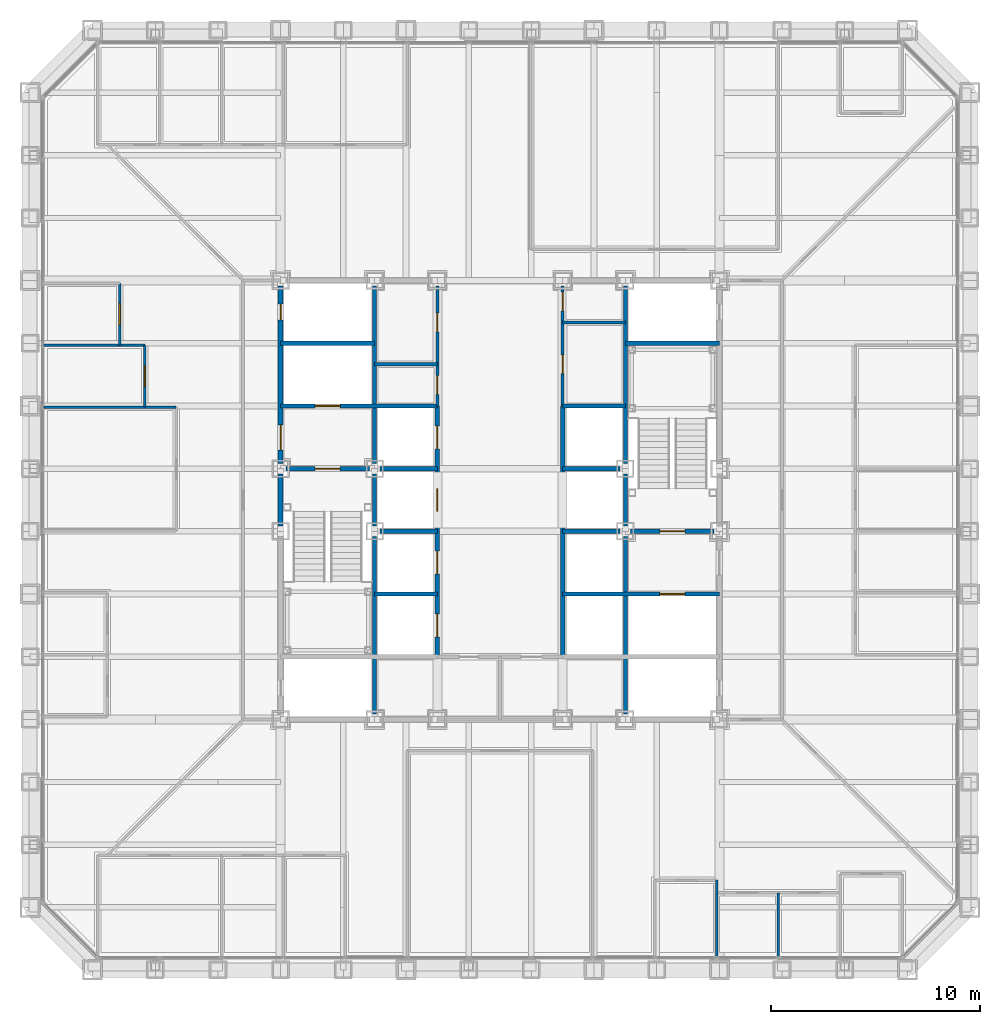
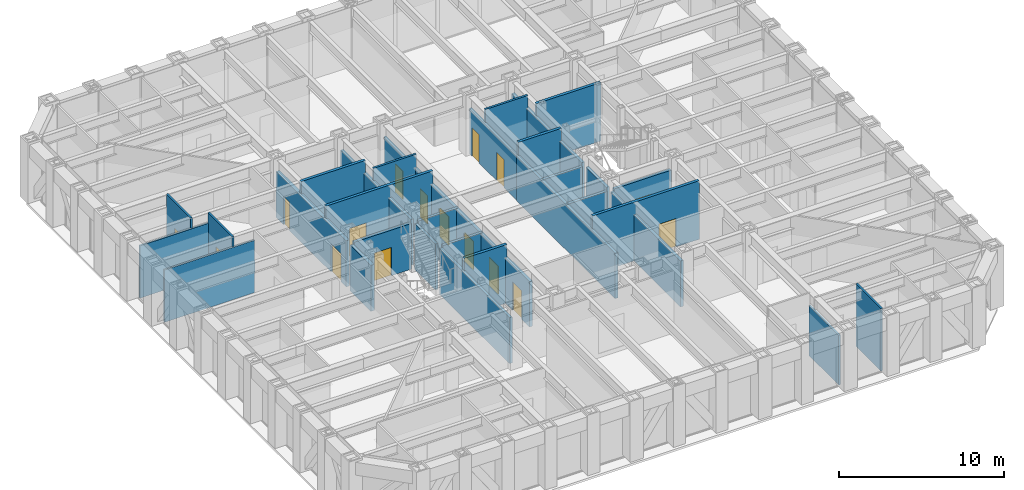
# One storey, part 9 of 17: 32 walls, 16 doors, 16 openings.
"""IFC4 building model written with IfcOpenShell, lengths in metres."""

from ifc_helpers import new_model, si_unit, direction, frame, frame_2d, origin, place, context, subcontext, project, spatial, rectangle, extrude, material, layer, layer_set, type_object, element, fill, save


model = new_model("IFC4")

# Units and contexts
model_context = context("Model", 3, precision=1e-05, world=origin(), true_north=direction((0.0, 1.0)))
body_context = subcontext(model_context, "Body", "Model", "MODEL_VIEW")
ifc_project = project(units=[si_unit("LENGTHUNIT", "METRE"), si_unit("AREAUNIT", "SQUARE_METRE"), si_unit("VOLUMEUNIT", "CUBIC_METRE"), si_unit("PLANEANGLEUNIT", "RADIAN"), si_unit("MASSUNIT", "GRAM", prefix="KILO")], contexts=[model_context])

# Site, building, storey
site_placement = place(None, origin())
site = spatial("IfcSite", under=ifc_project, at=site_placement, CompositionType="ELEMENT")
building_placement = place(site_placement, origin())
building = spatial("IfcBuilding", under=site, at=building_placement, Name="Chuquiago Exchange Tower", CompositionType="ELEMENT")
storey_placement = place(building_placement, frame((0.0, 0.0, 91.800048828125)))
storey = spatial("IfcBuildingStorey", under=building, at=storey_placement, Name="L19", CompositionType="ELEMENT", Elevation=91.800048828125)

# Wall
ifc_material_1 = material(Name="Concrete masonry, fully grouted", Category="masonry")
ifc_layer_1 = layer(ifc_material_1, 0.25)
ifc_layer_set_1 = layer_set([ifc_layer_1], Name="W1 core wall 250")
wall_type_1 = type_object("IfcWallType", Name="W1 core wall 250", PredefinedType="SOLIDWALL", material=ifc_layer_set_1)
wall_1_placement = place(storey_placement, frame((12.0, 21.25, 0.0), z_axis=(0.0, 0.0, 1.0), x_axis=(0.0, 1.0, 0.0)))
element("IfcWall", 1, at=wall_1_placement, inside=storey, type_object=wall_type_1, Name="CW-L19-00-1", PredefinedType="SOLIDWALL", context=body_context, shape_type="SweptSolid", body=[
    extrude(rectangle(XDim=2.5, YDim=0.25, at=frame_2d((1.25, 0.0))), origin(), (0.0, 0.0, 1.0), 3.412841796875),
])

# Wall, openings, doors
wall_2_placement = place(storey_placement, frame((12.0, 24.25, 0.0), z_axis=(0.0, 0.0, 1.0), x_axis=(0.0, 1.0, 0.0)))
wall_2 = element("IfcWall", 2, at=wall_2_placement, inside=storey, type_object=wall_type_1, Name="CW-L19-00-2", PredefinedType="SOLIDWALL", context=body_context, shape_type="SweptSolid", body=[
    extrude(rectangle(XDim=8.5, YDim=0.25, at=frame_2d((4.25, 0.0))), origin(), (0.0, 0.0, 1.0), 3.412841796875),
])
opening_1_placement = place(wall_2_placement, frame((0.64990234375, 0.0, 0.0)))
opening_1 = element("IfcOpeningElement", 3, at=opening_1_placement, cuts=wall_2, Name="Opening L19-002", PredefinedType="OPENING", context=body_context, shape_type="SweptSolid", body=[
    extrude(rectangle(XDim=1.199951171875, YDim=2.10009765625, at=frame_2d((0.60009765625, 1.050048828125))), frame((0.0, 0.135009765625, 0.0), z_axis=(0.0, -1.0, 0.0), x_axis=(1.0, 0.0, 0.0)), (0.0, 0.0, 1.0), 0.27001953125),
])
opening_2_placement = place(wall_2_placement, frame((6.875, 0.0, 0.0)))
opening_2 = element("IfcOpeningElement", 4, at=opening_2_placement, cuts=wall_2, Name="Opening L19-008", PredefinedType="OPENING", context=body_context, shape_type="SweptSolid", body=[
    extrude(rectangle(XDim=0.75, YDim=2.10009765625, at=frame_2d((0.375, 1.050048828125))), frame((0.0, 0.135009765625, 0.0), z_axis=(0.0, -1.0, 0.0), x_axis=(1.0, 0.0, 0.0)), (0.0, 0.0, 1.0), 0.27001953125),
])
ifc_material_2 = material(Name="Steel door, painted", Category="steel")
door_type_1 = type_object("IfcDoorType", Name="D5 firefighting lobby door 1200x2100", OperationType="SINGLE_SWING_LEFT", PredefinedType="DOOR", material=ifc_material_2)
door_1_placement = place(opening_1_placement, frame((1.199951171875, 0.0, 0.0), z_axis=(0.0, 0.0, 1.0), x_axis=(-1.0, 0.0, 0.0)))
door_1 = element("IfcDoor", 5, at=door_1_placement, inside=storey, type_object=door_type_1, Name="Firefighting lobby 1 door", OperationType="SINGLE_SWING_RIGHT", OverallHeight=2.10009765625, OverallWidth=1.199951171875, PredefinedType="DOOR", context=body_context, shape_type="SweptSolid", body=[
    extrude(rectangle(XDim=1.199951171875, YDim=2.10009765625, at=frame_2d((0.60009765625, 1.050048828125))), frame((0.0, 0.02490234375, 0.0), z_axis=(0.0, -1.0, 0.0), x_axis=(1.0, 0.0, 0.0)), (0.0, 0.0, 1.0), 0.050048828125),
])
fill(opening_1, door_1)
ifc_material_3 = material(Name="Steel door, painted", Category="steel")
door_type_2 = type_object("IfcDoorType", Name="D6 riser access door 750x2100", OperationType="SINGLE_SWING_LEFT", PredefinedType="DOOR", material=ifc_material_3)
door_2_placement = place(opening_2_placement, origin())
door_2 = element("IfcDoor", 6, at=door_2_placement, inside=storey, type_object=door_type_2, Name="Riser RW2 door", OperationType="SINGLE_SWING_RIGHT", OverallHeight=2.10009765625, OverallWidth=0.75, PredefinedType="DOOR", context=body_context, shape_type="SweptSolid", body=[
    extrude(rectangle(XDim=0.75, YDim=2.10009765625, at=frame_2d((0.375, 1.050048828125))), frame((0.0, 0.02490234375, 0.0), z_axis=(0.0, -1.0, 0.0), x_axis=(1.0, 0.0, 0.0)), (0.0, 0.0, 1.0), 0.050048828125),
])
fill(opening_2, door_2)

# Wall, opening, door
ifc_material_4 = material(Name="Concrete masonry, fully grouted", Category="masonry")
ifc_layer_2 = layer(ifc_material_4, 0.199951171875)
ifc_layer_set_2 = layer_set([ifc_layer_2], Name="W2 shaft wall 200")
wall_type_2 = type_object("IfcWallType", Name="W2 shaft wall 200", PredefinedType="SOLIDWALL", material=ifc_layer_set_2)
wall_3_placement = place(storey_placement, frame((12.25, 24.0, 0.0), z_axis=(0.0, 0.0, 1.0), x_axis=(1.0, 0.0, 0.0)))
wall_3 = element("IfcWall", 7, at=wall_3_placement, inside=storey, type_object=wall_type_2, Name="CW-L19-05-0", PredefinedType="SOLIDWALL", context=body_context, shape_type="SweptSolid", body=[
    extrude(rectangle(XDim=4.0, YDim=0.199951171875, at=frame_2d((2.0, 0.0))), origin(), (0.0, 0.0, 1.0), 3.389892578125),
])
opening_3_placement = place(wall_3_placement, frame((1.39990234375, 0.0, 0.0)))
opening_3 = element("IfcOpeningElement", 8, at=opening_3_placement, cuts=wall_3, Name="Opening L19-001", PredefinedType="OPENING", context=body_context, shape_type="SweptSolid", body=[
    extrude(rectangle(XDim=1.199951171875, YDim=2.10009765625, at=frame_2d((0.60009765625, 1.050048828125))), frame((0.0, 0.10986328125, 0.0), z_axis=(0.0, -1.0, 0.0), x_axis=(1.0, 0.0, 0.0)), (0.0, 0.0, 1.0), 0.219970703125),
])
ifc_material_5 = material(Name="Steel door, painted", Category="steel")
door_type_3 = type_object("IfcDoorType", Name="D4 stair door 1200x2100", OperationType="SINGLE_SWING_LEFT", PredefinedType="DOOR", material=ifc_material_5)
door_3_placement = place(opening_3_placement, frame((1.199951171875, 0.0, 0.0), z_axis=(0.0, 0.0, 1.0), x_axis=(-1.0, 0.0, 0.0)))
door_3 = element("IfcDoor", 9, at=door_3_placement, inside=storey, type_object=door_type_3, Name="Stair ST1 door", OperationType="SINGLE_SWING_RIGHT", OverallHeight=2.10009765625, OverallWidth=1.199951171875, PredefinedType="DOOR", context=body_context, shape_type="SweptSolid", body=[
    extrude(rectangle(XDim=1.199951171875, YDim=2.10009765625, at=frame_2d((0.60009765625, 1.050048828125))), frame((0.0, 0.02490234375, 0.0), z_axis=(0.0, -1.0, 0.0), x_axis=(1.0, 0.0, 0.0)), (0.0, 0.0, 1.0), 0.050048828125),
])
fill(opening_3, door_3)

# Walls
for number, where, z_axis, x_axis, name in (
    (10, (16.75, 24.0, 0.0), (0.0, 0.0, 1.0), (1.0, 0.0, 0.0), "CW-L19-05-1"),
    (11, (25.5, 24.0, 0.0), (0.0, 0.0, 1.0), (1.0, 0.0, 0.0), "CW-L19-06-0"),
):
    element("IfcWall", number, at=place(storey_placement, frame(where, z_axis=z_axis, x_axis=x_axis)), inside=storey, type_object=wall_type_2, Name=name, PredefinedType="SOLIDWALL", context=body_context, shape_type="SweptSolid", body=[
        extrude(rectangle(XDim=2.75, YDim=0.199951171875, at=frame_2d((1.375, 0.0))), origin(), (0.0, 0.0, 1.0), 3.389892578125),
    ])

# Wall, opening, door
wall_4_placement = place(storey_placement, frame((12.0, 27.0, 0.0), z_axis=(0.0, 0.0, 1.0), x_axis=(1.0, 0.0, 0.0)))
wall_4 = element("IfcWall", 12, at=wall_4_placement, inside=storey, type_object=wall_type_2, Name="CW-L19-07-0", PredefinedType="SOLIDWALL", context=body_context, shape_type="SweptSolid", body=[
    extrude(rectangle(XDim=7.5, YDim=0.199951171875, at=frame_2d((3.75, 0.0))), origin(), (0.0, 0.0, 1.0), 4.33984375),
])
opening_4_placement = place(wall_4_placement, frame((1.64990234375, 0.0, 0.0)))
opening_4 = element("IfcOpeningElement", 13, at=opening_4_placement, cuts=wall_4, Name="Opening L19-005", PredefinedType="OPENING", context=body_context, shape_type="SweptSolid", body=[
    extrude(rectangle(XDim=1.199951171875, YDim=2.10009765625, at=frame_2d((0.60009765625, 1.050048828125))), frame((0.0, 0.10986328125, 0.0), z_axis=(0.0, -1.0, 0.0), x_axis=(1.0, 0.0, 0.0)), (0.0, 0.0, 1.0), 0.219970703125),
])
ifc_material_6 = material(Name="Stainless steel lift landing door", Category="steel")
door_type_4 = type_object("IfcDoorType", Name="LD2 firefighting lift landing door 1200x2100", OperationType="DOUBLE_DOOR_SLIDING", PredefinedType="DOOR", material=ifc_material_6)
door_4_placement = place(opening_4_placement, origin())
door_4 = element("IfcDoor", 14, at=door_4_placement, inside=storey, type_object=door_type_4, Name="Firefighting lift FL1 landing door", OperationType="DOUBLE_DOOR_SLIDING", OverallHeight=2.10009765625, OverallWidth=1.199951171875, PredefinedType="DOOR", context=body_context, shape_type="SweptSolid", body=[
    extrude(rectangle(XDim=1.199951171875, YDim=2.10009765625, at=frame_2d((0.60009765625, 1.050048828125))), frame((0.0, 0.02490234375, 0.0), z_axis=(0.0, -1.0, 0.0), x_axis=(1.0, 0.0, 0.0)), (0.0, 0.0, 1.0), 0.050048828125),
])
fill(opening_4, door_4)

# Walls
wall_5_placement = place(storey_placement, frame((25.5, 27.0, 0.0), z_axis=(0.0, 0.0, 1.0), x_axis=(1.0, 0.0, 0.0)))
element("IfcWall", 15, at=wall_5_placement, inside=storey, type_object=wall_type_2, Name="CW-L19-08-0", PredefinedType="SOLIDWALL", context=body_context, shape_type="SweptSolid", body=[
    extrude(rectangle(XDim=3.0, YDim=0.199951171875, at=frame_2d((1.5, 0.0))), origin(), (0.0, 0.0, 1.0), 4.33984375),
])
for number, where, z_axis, x_axis, name in (
    (16, (12.0, 30.0, 0.0), (0.0, 0.0, 1.0), (1.0, 0.0, 0.0), "CW-L19-09-0"),
    (17, (28.5, 30.0, 0.0), (0.0, 0.0, 1.0), (1.0, 0.0, 0.0), "CW-L19-10-0"),
):
    element("IfcWall", number, at=place(storey_placement, frame(where, z_axis=z_axis, x_axis=x_axis)), inside=storey, type_object=wall_type_2, Name=name, PredefinedType="SOLIDWALL", context=body_context, shape_type="SweptSolid", body=[
        extrude(rectangle(XDim=4.5, YDim=0.199951171875, at=frame_2d((2.25, 0.0))), origin(), (0.0, 0.0, 1.0), 4.33984375),
    ])
wall_6_placement = place(storey_placement, frame((16.5, 12.25, 0.0), z_axis=(0.0, 0.0, 1.0), x_axis=(0.0, 1.0, 0.0)))
element("IfcWall", 18, at=wall_6_placement, inside=storey, type_object=wall_type_2, Name="CW-L19-13-0", PredefinedType="SOLIDWALL", context=body_context, shape_type="SweptSolid", body=[
    extrude(rectangle(XDim=8.5, YDim=0.199951171875, at=frame_2d((4.25, 0.0))), origin(), (0.0, 0.0, 1.0), 3.412841796875),
])
wall_7_placement = place(storey_placement, frame((16.5, 21.25, 0.0), z_axis=(0.0, 0.0, 1.0), x_axis=(0.0, 1.0, 0.0)))
element("IfcWall", 19, at=wall_7_placement, inside=storey, type_object=wall_type_2, Name="CW-L19-13-1", PredefinedType="SOLIDWALL", context=body_context, shape_type="SweptSolid", body=[
    extrude(rectangle(XDim=2.5, YDim=0.199951171875, at=frame_2d((1.25, 0.0))), origin(), (0.0, 0.0, 1.0), 3.412841796875),
])
wall_8_placement = place(storey_placement, frame((16.5, 24.25, 0.0), z_axis=(0.0, 0.0, 1.0), x_axis=(0.0, 1.0, 0.0)))
element("IfcWall", 20, at=wall_8_placement, inside=storey, type_object=wall_type_2, Name="CW-L19-13-2", PredefinedType="SOLIDWALL", context=body_context, shape_type="SweptSolid", body=[
    extrude(rectangle(XDim=8.5, YDim=0.199951171875, at=frame_2d((4.25, 0.0))), origin(), (0.0, 0.0, 1.0), 3.412841796875),
])
wall_9_placement = place(storey_placement, frame((16.5, 18.0, 0.0), z_axis=(0.0, 0.0, 1.0), x_axis=(1.0, 0.0, 0.0)))
element("IfcWall", 21, at=wall_9_placement, inside=storey, type_object=wall_type_2, Name="CW-L19-14-0", PredefinedType="SOLIDWALL", context=body_context, shape_type="SweptSolid", body=[
    extrude(rectangle(XDim=3.0, YDim=0.199951171875, at=frame_2d((1.5, 0.0))), origin(), (0.0, 0.0, 1.0), 4.33984375),
])

# Wall, opening, door
wall_10_placement = place(storey_placement, frame((25.5, 18.0, 0.0), z_axis=(0.0, 0.0, 1.0), x_axis=(1.0, 0.0, 0.0)))
wall_10 = element("IfcWall", 22, at=wall_10_placement, inside=storey, type_object=wall_type_2, Name="CW-L19-15-0", PredefinedType="SOLIDWALL", context=body_context, shape_type="SweptSolid", body=[
    extrude(rectangle(XDim=7.5, YDim=0.199951171875, at=frame_2d((3.75, 0.0))), origin(), (0.0, 0.0, 1.0), 4.33984375),
])
opening_5_placement = place(wall_10_placement, frame((4.64990234375, 0.0, 0.0)))
opening_5 = element("IfcOpeningElement", 23, at=opening_5_placement, cuts=wall_10, Name="Opening L19-006", PredefinedType="OPENING", context=body_context, shape_type="SweptSolid", body=[
    extrude(rectangle(XDim=1.199951171875, YDim=2.10009765625, at=frame_2d((0.60009765625, 1.050048828125))), frame((0.0, 0.10986328125, 0.0), z_axis=(0.0, -1.0, 0.0), x_axis=(1.0, 0.0, 0.0)), (0.0, 0.0, 1.0), 0.219970703125),
])
door_5_placement = place(opening_5_placement, origin())
door_5 = element("IfcDoor", 24, at=door_5_placement, inside=storey, type_object=door_type_4, Name="Firefighting lift FL2 landing door", OperationType="DOUBLE_DOOR_SLIDING", OverallHeight=2.10009765625, OverallWidth=1.199951171875, PredefinedType="DOOR", context=body_context, shape_type="SweptSolid", body=[
    extrude(rectangle(XDim=1.199951171875, YDim=2.10009765625, at=frame_2d((0.60009765625, 1.050048828125))), frame((0.0, 0.02490234375, 0.0), z_axis=(0.0, -1.0, 0.0), x_axis=(1.0, 0.0, 0.0)), (0.0, 0.0, 1.0), 0.050048828125),
])
fill(opening_5, door_5)

# Walls
for number, where, z_axis, x_axis, name in (
    (25, (16.75, 21.0, 0.0), (0.0, 0.0, 1.0), (1.0, 0.0, 0.0), "CW-L19-16-0"),
    (26, (25.5, 21.0, 0.0), (0.0, 0.0, 1.0), (1.0, 0.0, 0.0), "CW-L19-17-0"),
):
    element("IfcWall", number, at=place(storey_placement, frame(where, z_axis=z_axis, x_axis=x_axis)), inside=storey, type_object=wall_type_2, Name=name, PredefinedType="SOLIDWALL", context=body_context, shape_type="SweptSolid", body=[
        extrude(rectangle(XDim=2.75, YDim=0.199951171875, at=frame_2d((1.375, 0.0))), origin(), (0.0, 0.0, 1.0), 3.389892578125),
    ])

# Wall, opening, door
wall_11_placement = place(storey_placement, frame((28.75, 21.0, 0.0), z_axis=(0.0, 0.0, 1.0), x_axis=(1.0, 0.0, 0.0)))
wall_11 = element("IfcWall", 27, at=wall_11_placement, inside=storey, type_object=wall_type_2, Name="CW-L19-17-1", PredefinedType="SOLIDWALL", context=body_context, shape_type="SweptSolid", body=[
    extrude(rectangle(XDim=4.0, YDim=0.199951171875, at=frame_2d((2.0, 0.0))), origin(), (0.0, 0.0, 1.0), 3.389892578125),
])
opening_6_placement = place(wall_11_placement, frame((1.39990234375, 0.0, 0.0)))
opening_6 = element("IfcOpeningElement", 28, at=opening_6_placement, cuts=wall_11, Name="Opening L19-003", PredefinedType="OPENING", context=body_context, shape_type="SweptSolid", body=[
    extrude(rectangle(XDim=1.199951171875, YDim=2.10009765625, at=frame_2d((0.60009765625, 1.050048828125))), frame((0.0, 0.10986328125, 0.0), z_axis=(0.0, -1.0, 0.0), x_axis=(1.0, 0.0, 0.0)), (0.0, 0.0, 1.0), 0.219970703125),
])
door_6_placement = place(opening_6_placement, origin())
door_6 = element("IfcDoor", 29, at=door_6_placement, inside=storey, type_object=door_type_3, Name="Stair ST2 door", OperationType="SINGLE_SWING_LEFT", OverallHeight=2.10009765625, OverallWidth=1.199951171875, PredefinedType="DOOR", context=body_context, shape_type="SweptSolid", body=[
    extrude(rectangle(XDim=1.199951171875, YDim=2.10009765625, at=frame_2d((0.60009765625, 1.050048828125))), frame((0.0, 0.02490234375, 0.0), z_axis=(0.0, -1.0, 0.0), x_axis=(1.0, 0.0, 0.0)), (0.0, 0.0, 1.0), 0.050048828125),
])
fill(opening_6, door_6)

# Wall, openings, doors
wall_12_placement = place(storey_placement, frame((19.5, 15.0, 0.0), z_axis=(0.0, 0.0, 1.0), x_axis=(0.0, 1.0, 0.0)))
wall_12 = element("IfcWall", 30, at=wall_12_placement, inside=storey, type_object=wall_type_2, Name="CW-L19-19-0", PredefinedType="SOLIDWALL", context=body_context, shape_type="SweptSolid", body=[
    extrude(rectangle(XDim=12.0, YDim=0.199951171875, at=frame_2d((6.0, 0.0))), origin(), (0.0, 0.0, 1.0), 3.364501953125),
])
opening_7_placement = place(wall_12_placement, frame((0.949951171875, 0.0, 0.0)))
opening_7 = element("IfcOpeningElement", 31, at=opening_7_placement, cuts=wall_12, Name="Opening L19-017", PredefinedType="OPENING", context=body_context, shape_type="SweptSolid", body=[
    extrude(rectangle(XDim=1.10009765625, YDim=2.10009765625, at=frame_2d((0.550048828125, 1.050048828125))), frame((0.0, 0.10986328125, 0.0), z_axis=(0.0, -1.0, 0.0), x_axis=(1.0, 0.0, 0.0)), (0.0, 0.0, 1.0), 0.219970703125),
])
opening_8_placement = place(wall_12_placement, frame((3.949951171875, 0.0, 0.0)))
opening_8 = element("IfcOpeningElement", 32, at=opening_8_placement, cuts=wall_12, Name="Opening L19-018", PredefinedType="OPENING", context=body_context, shape_type="SweptSolid", body=[
    extrude(rectangle(XDim=1.10009765625, YDim=2.10009765625, at=frame_2d((0.550048828125, 1.050048828125))), frame((0.0, 0.10986328125, 0.0), z_axis=(0.0, -1.0, 0.0), x_axis=(1.0, 0.0, 0.0)), (0.0, 0.0, 1.0), 0.219970703125),
])
opening_9_placement = place(wall_12_placement, frame((6.949951171875, 0.0, 0.0)))
opening_9 = element("IfcOpeningElement", 33, at=opening_9_placement, cuts=wall_12, Name="Opening L19-019", PredefinedType="OPENING", context=body_context, shape_type="SweptSolid", body=[
    extrude(rectangle(XDim=1.10009765625, YDim=2.10009765625, at=frame_2d((0.550048828125, 1.050048828125))), frame((0.0, 0.10986328125, 0.0), z_axis=(0.0, -1.0, 0.0), x_axis=(1.0, 0.0, 0.0)), (0.0, 0.0, 1.0), 0.219970703125),
])
opening_10_placement = place(wall_12_placement, frame((9.949951171875, 0.0, 0.0)))
opening_10 = element("IfcOpeningElement", 34, at=opening_10_placement, cuts=wall_12, Name="Opening L19-020", PredefinedType="OPENING", context=body_context, shape_type="SweptSolid", body=[
    extrude(rectangle(XDim=1.10009765625, YDim=2.10009765625, at=frame_2d((0.550048828125, 1.050048828125))), frame((0.0, 0.10986328125, 0.0), z_axis=(0.0, -1.0, 0.0), x_axis=(1.0, 0.0, 0.0)), (0.0, 0.0, 1.0), 0.219970703125),
])
ifc_material_7 = material(Name="Stainless steel lift landing door", Category="steel")
door_type_5 = type_object("IfcDoorType", Name="LD1 lift landing door 1100x2100", OperationType="DOUBLE_DOOR_SLIDING", PredefinedType="DOOR", material=ifc_material_7)
door_7_placement = place(opening_7_placement, origin())
door_7 = element("IfcDoor", 35, at=door_7_placement, inside=storey, type_object=door_type_5, Name="Lift LA1 landing door", OperationType="DOUBLE_DOOR_SLIDING", OverallHeight=2.10009765625, OverallWidth=1.10009765625, PredefinedType="DOOR", context=body_context, shape_type="SweptSolid", body=[
    extrude(rectangle(XDim=1.10009765625, YDim=2.10009765625, at=frame_2d((0.550048828125, 1.050048828125))), frame((0.0, 0.02490234375, 0.0), z_axis=(0.0, -1.0, 0.0), x_axis=(1.0, 0.0, 0.0)), (0.0, 0.0, 1.0), 0.050048828125),
])
fill(opening_7, door_7)
door_8_placement = place(opening_8_placement, origin())
door_8 = element("IfcDoor", 36, at=door_8_placement, inside=storey, type_object=door_type_5, Name="Lift LA2 landing door", OperationType="DOUBLE_DOOR_SLIDING", OverallHeight=2.10009765625, OverallWidth=1.10009765625, PredefinedType="DOOR", context=body_context, shape_type="SweptSolid", body=[
    extrude(rectangle(XDim=1.10009765625, YDim=2.10009765625, at=frame_2d((0.550048828125, 1.050048828125))), frame((0.0, 0.02490234375, 0.0), z_axis=(0.0, -1.0, 0.0), x_axis=(1.0, 0.0, 0.0)), (0.0, 0.0, 1.0), 0.050048828125),
])
fill(opening_8, door_8)
door_9_placement = place(opening_9_placement, origin())
door_9 = element("IfcDoor", 37, at=door_9_placement, inside=storey, type_object=door_type_5, Name="Lift LA3 landing door", OperationType="DOUBLE_DOOR_SLIDING", OverallHeight=2.10009765625, OverallWidth=1.10009765625, PredefinedType="DOOR", context=body_context, shape_type="SweptSolid", body=[
    extrude(rectangle(XDim=1.10009765625, YDim=2.10009765625, at=frame_2d((0.550048828125, 1.050048828125))), frame((0.0, 0.02490234375, 0.0), z_axis=(0.0, -1.0, 0.0), x_axis=(1.0, 0.0, 0.0)), (0.0, 0.0, 1.0), 0.050048828125),
])
fill(opening_9, door_9)
door_10_placement = place(opening_10_placement, origin())
door_10 = element("IfcDoor", 38, at=door_10_placement, inside=storey, type_object=door_type_5, Name="Lift LA4 landing door", OperationType="DOUBLE_DOOR_SLIDING", OverallHeight=2.10009765625, OverallWidth=1.10009765625, PredefinedType="DOOR", context=body_context, shape_type="SweptSolid", body=[
    extrude(rectangle(XDim=1.10009765625, YDim=2.10009765625, at=frame_2d((0.550048828125, 1.050048828125))), frame((0.0, 0.02490234375, 0.0), z_axis=(0.0, -1.0, 0.0), x_axis=(1.0, 0.0, 0.0)), (0.0, 0.0, 1.0), 0.050048828125),
])
fill(opening_10, door_10)

# Walls
wall_13_placement = place(storey_placement, frame((25.5, 15.0, 0.0), z_axis=(0.0, 0.0, 1.0), x_axis=(0.0, 1.0, 0.0)))
element("IfcWall", 39, at=wall_13_placement, inside=storey, type_object=wall_type_2, Name="CW-L19-22-0", PredefinedType="SOLIDWALL", context=body_context, shape_type="SweptSolid", body=[
    extrude(rectangle(XDim=12.0, YDim=0.199951171875, at=frame_2d((6.0, 0.0))), origin(), (0.0, 0.0, 1.0), 3.364501953125),
])
wall_14_placement = place(storey_placement, frame((28.5, 12.25, 0.0), z_axis=(0.0, 0.0, 1.0), x_axis=(0.0, 1.0, 0.0)))
element("IfcWall", 40, at=wall_14_placement, inside=storey, type_object=wall_type_2, Name="CW-L19-24-0", PredefinedType="SOLIDWALL", context=body_context, shape_type="SweptSolid", body=[
    extrude(rectangle(XDim=8.5, YDim=0.199951171875, at=frame_2d((4.25, 0.0))), origin(), (0.0, 0.0, 1.0), 3.412841796875),
])
wall_15_placement = place(storey_placement, frame((28.5, 21.25, 0.0), z_axis=(0.0, 0.0, 1.0), x_axis=(0.0, 1.0, 0.0)))
element("IfcWall", 41, at=wall_15_placement, inside=storey, type_object=wall_type_2, Name="CW-L19-24-1", PredefinedType="SOLIDWALL", context=body_context, shape_type="SweptSolid", body=[
    extrude(rectangle(XDim=2.5, YDim=0.199951171875, at=frame_2d((1.25, 0.0))), origin(), (0.0, 0.0, 1.0), 3.412841796875),
])
wall_16_placement = place(storey_placement, frame((28.5, 24.25, 0.0), z_axis=(0.0, 0.0, 1.0), x_axis=(0.0, 1.0, 0.0)))
element("IfcWall", 42, at=wall_16_placement, inside=storey, type_object=wall_type_2, Name="CW-L19-24-2", PredefinedType="SOLIDWALL", context=body_context, shape_type="SweptSolid", body=[
    extrude(rectangle(XDim=8.5, YDim=0.199951171875, at=frame_2d((4.25, 0.0))), origin(), (0.0, 0.0, 1.0), 3.412841796875),
])

# Wall, openings, doors
ifc_material_8 = material(Name="Gypsum board on steel studs", Category="steel")
ifc_layer_3 = layer(ifc_material_8, 0.14990234375)
ifc_layer_set_3 = layer_set([ifc_layer_3], Name="W3 core partition 150")
wall_type_3 = type_object("IfcWallType", Name="W3 core partition 150", PredefinedType="PARTITIONING", material=ifc_layer_set_3)
wall_17_placement = place(storey_placement, frame((19.5, 27.0, 0.0), z_axis=(0.0, 0.0, 1.0), x_axis=(0.0, 1.0, 0.0)))
wall_17 = element("IfcWall", 43, at=wall_17_placement, inside=storey, type_object=wall_type_3, Name="CW-L19-20-0", PredefinedType="PARTITIONING", context=body_context, shape_type="SweptSolid", body=[
    extrude(rectangle(XDim=5.75, YDim=0.14990234375, at=frame_2d((2.875, 0.0))), origin(), (0.0, 0.0, 1.0), 3.364501953125),
])
opening_11_placement = place(wall_17_placement, frame((0.550048828125, 0.0, 0.0)))
opening_11 = element("IfcOpeningElement", 44, at=opening_11_placement, cuts=wall_17, Name="Opening L19-011", PredefinedType="OPENING", context=body_context, shape_type="SweptSolid", body=[
    extrude(rectangle(XDim=0.89990234375, YDim=2.10009765625, at=frame_2d((0.449951171875, 1.050048828125))), frame((0.0, 0.0849609375, 0.0), z_axis=(0.0, -1.0, 0.0), x_axis=(1.0, 0.0, 0.0)), (0.0, 0.0, 1.0), 0.169921875),
])
opening_12_placement = place(wall_17_placement, frame((3.550048828125, 0.0, 0.0)))
opening_12 = element("IfcOpeningElement", 45, at=opening_12_placement, cuts=wall_17, Name="Opening L19-012", PredefinedType="OPENING", context=body_context, shape_type="SweptSolid", body=[
    extrude(rectangle(XDim=0.89990234375, YDim=2.10009765625, at=frame_2d((0.449951171875, 1.050048828125))), frame((0.0, 0.0849609375, 0.0), z_axis=(0.0, -1.0, 0.0), x_axis=(1.0, 0.0, 0.0)), (0.0, 0.0, 1.0), 0.169921875),
])
ifc_material_9 = material(Name="Timber door, laminate faced", Category="wood")
door_type_6 = type_object("IfcDoorType", Name="D16 core room door 900x2100", OperationType="SINGLE_SWING_LEFT", PredefinedType="DOOR", material=ifc_material_9)
door_11_placement = place(opening_11_placement, origin())
door_11 = element("IfcDoor", 46, at=door_11_placement, inside=storey, type_object=door_type_6, Name="First aid room door", OperationType="SINGLE_SWING_LEFT", OverallHeight=2.10009765625, OverallWidth=0.89990234375, PredefinedType="DOOR", context=body_context, shape_type="SweptSolid", body=[
    extrude(rectangle(XDim=0.89990234375, YDim=2.10009765625, at=frame_2d((0.449951171875, 1.050048828125))), frame((0.0, 0.02490234375, 0.0), z_axis=(0.0, -1.0, 0.0), x_axis=(1.0, 0.0, 0.0)), (0.0, 0.0, 1.0), 0.050048828125),
])
fill(opening_11, door_11)
ifc_material_10 = material(Name="Timber door, laminate faced", Category="wood")
door_type_7 = type_object("IfcDoorType", Name="D7 toilet door 900x2100", OperationType="SINGLE_SWING_LEFT", PredefinedType="DOOR", material=ifc_material_10)
door_12_placement = place(opening_12_placement, origin())
door_12 = element("IfcDoor", 47, at=door_12_placement, inside=storey, type_object=door_type_7, Name="Male WC door", OperationType="SINGLE_SWING_RIGHT", OverallHeight=2.10009765625, OverallWidth=0.89990234375, PredefinedType="DOOR", context=body_context, shape_type="SweptSolid", body=[
    extrude(rectangle(XDim=0.89990234375, YDim=2.10009765625, at=frame_2d((0.449951171875, 1.050048828125))), frame((0.0, 0.02490234375, 0.0), z_axis=(0.0, -1.0, 0.0), x_axis=(1.0, 0.0, 0.0)), (0.0, 0.0, 1.0), 0.050048828125),
])
fill(opening_12, door_12)

wall_18_placement = place(storey_placement, frame((25.5, 27.0, 0.0), z_axis=(0.0, 0.0, 1.0), x_axis=(0.0, 1.0, 0.0)))
wall_18 = element("IfcWall", 48, at=wall_18_placement, inside=storey, type_object=wall_type_3, Name="CW-L19-23-0", PredefinedType="PARTITIONING", context=body_context, shape_type="SweptSolid", body=[
    extrude(rectangle(XDim=5.75, YDim=0.14990234375, at=frame_2d((2.875, 0.0))), origin(), (0.0, 0.0, 1.0), 3.364501953125),
])
opening_13_placement = place(wall_18_placement, frame((1.550048828125, 0.0, 0.0)))
opening_13 = element("IfcOpeningElement", 49, at=opening_13_placement, cuts=wall_18, Name="Opening L19-013", PredefinedType="OPENING", context=body_context, shape_type="SweptSolid", body=[
    extrude(rectangle(XDim=0.89990234375, YDim=2.10009765625, at=frame_2d((0.449951171875, 1.050048828125))), frame((0.0, 0.0849609375, 0.0), z_axis=(0.0, -1.0, 0.0), x_axis=(1.0, 0.0, 0.0)), (0.0, 0.0, 1.0), 0.169921875),
])
opening_14_placement = place(wall_18_placement, frame((4.550048828125, 0.0, 0.0)))
opening_14 = element("IfcOpeningElement", 50, at=opening_14_placement, cuts=wall_18, Name="Opening L19-014", PredefinedType="OPENING", context=body_context, shape_type="SweptSolid", body=[
    extrude(rectangle(XDim=0.89990234375, YDim=2.10009765625, at=frame_2d((0.449951171875, 1.050048828125))), frame((0.0, 0.0849609375, 0.0), z_axis=(0.0, -1.0, 0.0), x_axis=(1.0, 0.0, 0.0)), (0.0, 0.0, 1.0), 0.169921875),
])
door_13_placement = place(opening_14_placement, frame((0.89990234375, 0.0, 0.0), z_axis=(0.0, 0.0, 1.0), x_axis=(-1.0, 0.0, 0.0)))
door_13 = element("IfcDoor", 51, at=door_13_placement, inside=storey, type_object=door_type_6, Name="Staff shower room door", OperationType="SINGLE_SWING_LEFT", OverallHeight=2.10009765625, OverallWidth=0.89990234375, PredefinedType="DOOR", context=body_context, shape_type="SweptSolid", body=[
    extrude(rectangle(XDim=0.89990234375, YDim=2.10009765625, at=frame_2d((0.449951171875, 1.050048828125))), frame((0.0, 0.02490234375, 0.0), z_axis=(0.0, -1.0, 0.0), x_axis=(1.0, 0.0, 0.0)), (0.0, 0.0, 1.0), 0.050048828125),
])
fill(opening_14, door_13)
door_14_placement = place(opening_13_placement, frame((0.89990234375, 0.0, 0.0), z_axis=(0.0, 0.0, 1.0), x_axis=(-1.0, 0.0, 0.0)))
door_14 = element("IfcDoor", 52, at=door_14_placement, inside=storey, type_object=door_type_7, Name="Female WC door", OperationType="SINGLE_SWING_RIGHT", OverallHeight=2.10009765625, OverallWidth=0.89990234375, PredefinedType="DOOR", context=body_context, shape_type="SweptSolid", body=[
    extrude(rectangle(XDim=0.89990234375, YDim=2.10009765625, at=frame_2d((0.449951171875, 1.050048828125))), frame((0.0, 0.02490234375, 0.0), z_axis=(0.0, -1.0, 0.0), x_axis=(1.0, 0.0, 0.0)), (0.0, 0.0, 1.0), 0.050048828125),
])
fill(opening_13, door_14)

# Walls
for number, where, z_axis, x_axis, name in (
    (53, (16.5, 29.0, 0.0), (0.0, 0.0, 1.0), (1.0, 0.0, 0.0), "CW-L19-WCMS"),
    (54, (25.5, 31.0, 0.0), (0.0, 0.0, 1.0), (1.0, 0.0, 0.0), "CW-L19-WCFS"),
):
    element("IfcWall", number, at=place(storey_placement, frame(where, z_axis=z_axis, x_axis=x_axis)), inside=storey, type_object=wall_type_3, Name=name, PredefinedType="PARTITIONING", context=body_context, shape_type="SweptSolid", body=[
        extrude(rectangle(XDim=3.0, YDim=0.14990234375, at=frame_2d((1.5, 0.0))), origin(), (0.0, 0.0, 1.0), 4.33984375),
    ])
ifc_material_11 = material(Name="Gypsum board on steel studs", Category="steel")
ifc_layer_4 = layer(ifc_material_11, 0.1201171875)
ifc_layer_set_4 = layer_set([ifc_layer_4], Name="W4 partition 120")
wall_type_4 = type_object("IfcWallType", Name="W4 partition 120", PredefinedType="PARTITIONING", material=ifc_layer_set_4)
wall_19_placement = place(storey_placement, frame((32.8662109375, 0.657470703125, -0.300048828125), z_axis=(0.0, 0.0, 1.0), x_axis=(0.0, 1.0, 0.0)))
element("IfcWall", 55, at=wall_19_placement, inside=storey, type_object=wall_type_4, Name="PW-L19-S03287", PredefinedType="PARTITIONING", context=body_context, shape_type="SweptSolid", body=[
    extrude(rectangle(XDim=3.642578125, YDim=0.1201171875, at=frame_2d((1.8212890625, 0.0))), origin(), (0.0, 0.0, 1.0), 3.692626953125),
])
wall_20_placement = place(storey_placement, frame((35.827880859375, 0.657470703125, -0.300048828125), z_axis=(0.0, 0.0, 1.0), x_axis=(0.0, 1.0, 0.0)))
element("IfcWall", 56, at=wall_20_placement, inside=storey, type_object=wall_type_4, Name="PW-L19-S03583", PredefinedType="PARTITIONING", context=body_context, shape_type="SweptSolid", body=[
    extrude(rectangle(XDim=3.04248046875, YDim=0.1201171875, at=frame_2d((1.521240234375, 0.0))), origin(), (0.0, 0.0, 1.0), 4.639892578125),
])
wall_21_placement = place(storey_placement, frame((0.657470703125, 26.942626953125, -0.300048828125), z_axis=(0.0, 0.0, 1.0), x_axis=(1.0, 0.0, 0.0)))
element("IfcWall", 57, at=wall_21_placement, inside=storey, type_object=wall_type_4, Name="PW-L19-W02694", PredefinedType="PARTITIONING", context=body_context, shape_type="SweptSolid", body=[
    extrude(rectangle(XDim=6.342529296875, YDim=0.1201171875, at=frame_2d((3.17138671875, 0.0))), origin(), (0.0, 0.0, 1.0), 3.8779296875),
])
wall_22_placement = place(storey_placement, frame((0.657470703125, 29.904296875, -0.300048828125), z_axis=(0.0, 0.0, 1.0), x_axis=(1.0, 0.0, 0.0)))
element("IfcWall", 58, at=wall_22_placement, inside=storey, type_object=wall_type_4, Name="PW-L19-W02990", PredefinedType="PARTITIONING", context=body_context, shape_type="SweptSolid", body=[
    extrude(rectangle(XDim=4.842529296875, YDim=0.1201171875, at=frame_2d((2.42138671875, 0.0))), origin(), (0.0, 0.0, 1.0), 3.8779296875),
])

# Wall, opening, door
wall_23_placement = place(storey_placement, frame((5.5, 26.942626953125, -0.300048828125), z_axis=(0.0, 0.0, 1.0), x_axis=(0.0, 1.0, 0.0)))
wall_23 = element("IfcWall", 59, at=wall_23_placement, inside=storey, type_object=wall_type_4, Name="PW-L19-WF02694", PredefinedType="PARTITIONING", context=body_context, shape_type="SweptSolid", body=[
    extrude(rectangle(XDim=2.961669921875, YDim=0.1201171875, at=frame_2d((1.48095703125, 0.0))), origin(), (0.0, 0.0, 1.0), 4.639892578125),
])
opening_15_placement = place(wall_23_placement, frame((0.98095703125, 0.0, 0.300048828125)))
opening_15 = element("IfcOpeningElement", 60, at=opening_15_placement, cuts=wall_23, Name="Opening L19-042", PredefinedType="OPENING", context=body_context, shape_type="SweptSolid", body=[
    extrude(rectangle(XDim=1.0, YDim=2.39990234375, at=frame_2d((0.5, 1.199951171875))), frame((0.0, 0.070068359375, 0.0), z_axis=(0.0, -1.0, 0.0), x_axis=(1.0, 0.0, 0.0)), (0.0, 0.0, 1.0), 0.14013671875),
])
ifc_material_12 = material(Name="Timber door, laminate faced", Category="wood")
door_type_8 = type_object("IfcDoorType", Name="D9 room door 1000x2400", OperationType="SINGLE_SWING_LEFT", PredefinedType="DOOR", material=ifc_material_12)
door_15_placement = place(opening_15_placement, origin())
door_15 = element("IfcDoor", 61, at=door_15_placement, inside=storey, type_object=door_type_8, Name="Office door", OperationType="SINGLE_SWING_LEFT", OverallHeight=2.39990234375, OverallWidth=1.0, PredefinedType="DOOR", context=body_context, shape_type="SweptSolid", body=[
    extrude(rectangle(XDim=1.0, YDim=2.39990234375, at=frame_2d((0.5, 1.199951171875))), frame((0.0, 0.02490234375, 0.0), z_axis=(0.0, -1.0, 0.0), x_axis=(1.0, 0.0, 0.0)), (0.0, 0.0, 1.0), 0.050048828125),
])
fill(opening_15, door_15)

wall_24_placement = place(storey_placement, frame((4.300048828125, 29.904296875, -0.300048828125), z_axis=(0.0, 0.0, 1.0), x_axis=(0.0, 1.0, 0.0)))
wall_24 = element("IfcWall", 62, at=wall_24_placement, inside=storey, type_object=wall_type_4, Name="PW-L19-WF02990", PredefinedType="PARTITIONING", context=body_context, shape_type="SweptSolid", body=[
    extrude(rectangle(XDim=2.9619140625, YDim=0.1201171875, at=frame_2d((1.48095703125, 0.0))), origin(), (0.0, 0.0, 1.0), 4.639892578125),
])
opening_16_placement = place(wall_24_placement, frame((0.98095703125, 0.0, 0.300048828125)))
opening_16 = element("IfcOpeningElement", 63, at=opening_16_placement, cuts=wall_24, Name="Opening L19-043", PredefinedType="OPENING", context=body_context, shape_type="SweptSolid", body=[
    extrude(rectangle(XDim=1.0, YDim=2.39990234375, at=frame_2d((0.5, 1.199951171875))), frame((0.0, 0.070068359375, 0.0), z_axis=(0.0, -1.0, 0.0), x_axis=(1.0, 0.0, 0.0)), (0.0, 0.0, 1.0), 0.14013671875),
])
door_16_placement = place(opening_16_placement, origin())
door_16 = element("IfcDoor", 64, at=door_16_placement, inside=storey, type_object=door_type_8, Name="Pantry door", OperationType="SINGLE_SWING_LEFT", OverallHeight=2.39990234375, OverallWidth=1.0, PredefinedType="DOOR", context=body_context, shape_type="SweptSolid", body=[
    extrude(rectangle(XDim=1.0, YDim=2.39990234375, at=frame_2d((0.5, 1.199951171875))), frame((0.0, 0.02490234375, 0.0), z_axis=(0.0, -1.0, 0.0), x_axis=(1.0, 0.0, 0.0)), (0.0, 0.0, 1.0), 0.050048828125),
])
fill(opening_16, door_16)

save(model, "model.ifc")
